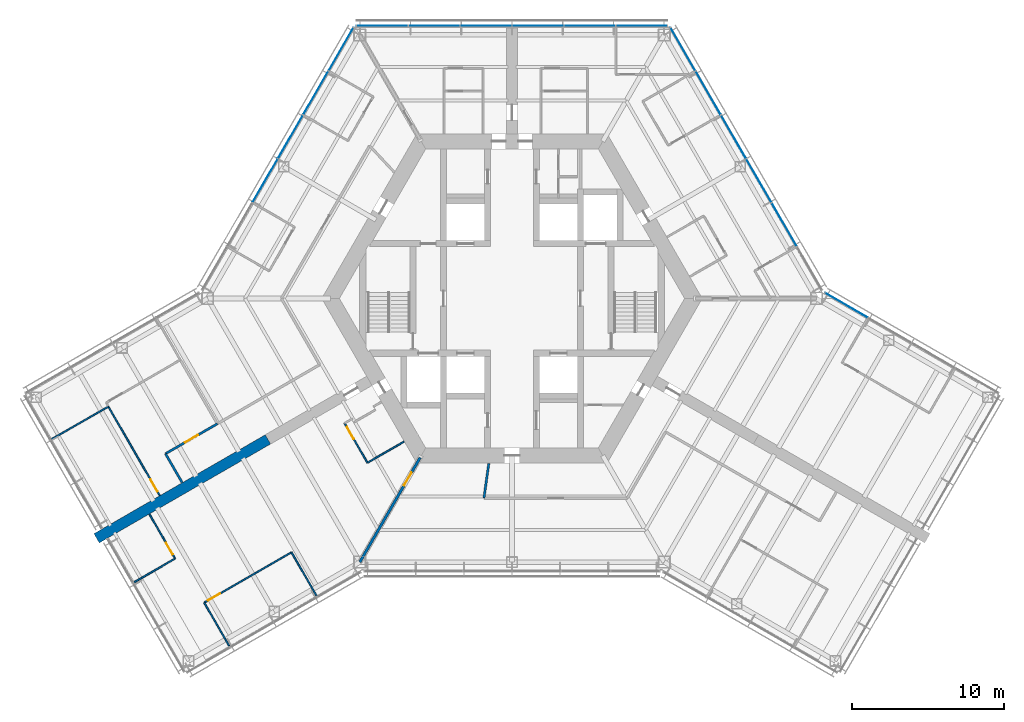
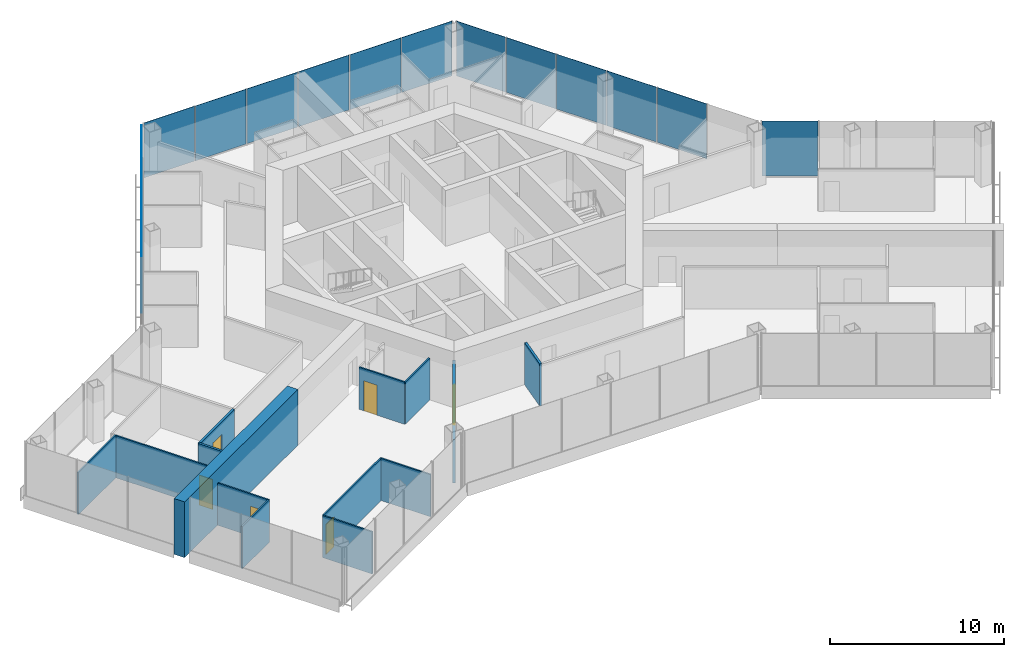
# One storey, part 11 of 18: 16 plates, 14 walls, 6 doors, 6 openings, 4 elements without a shape of their own.
"""IFC4 building model written with IfcOpenShell, lengths in metres."""

from ifc_helpers import new_model, si_unit, direction, frame, frame_2d, origin, origin_2d, place, context, subcontext, project, spatial, rectangle, extrude, material, layer, layer_set, type_object, element, fill, aggregate, save


model = new_model("IFC4")

# Units and contexts
model_context = context("Model", 3, precision=1e-05, world=origin(), true_north=direction((0.0, 1.0)))
body_context = subcontext(model_context, "Body", "Model", "MODEL_VIEW")
ifc_project = project(units=[si_unit("LENGTHUNIT", "METRE"), si_unit("AREAUNIT", "SQUARE_METRE"), si_unit("VOLUMEUNIT", "CUBIC_METRE"), si_unit("PLANEANGLEUNIT", "RADIAN"), si_unit("MASSUNIT", "GRAM", prefix="KILO")], contexts=[model_context])

# Site, building, storey
site_placement = place(None, origin())
site = spatial("IfcSite", under=ifc_project, at=site_placement, CompositionType="ELEMENT")
building_placement = place(site_placement, origin())
building = spatial("IfcBuilding", under=site, at=building_placement, Name="Kasaneha Research Tower", CompositionType="ELEMENT")
storey_placement = place(building_placement, frame((0.0, 0.0, 144.800048828125)))
storey = spatial("IfcBuildingStorey", under=building, at=storey_placement, Name="L36", CompositionType="ELEMENT", Elevation=144.800048828125)

# Curtain wall, plate
ifc_material_1 = material(Name="Glass and aluminium", Category="aluminium")
curtain_wall_type = type_object("IfcCurtainWallType", Name="Mid-rise office curtain wall", PredefinedType="USERDEFINED", material=ifc_material_1)
curtain_wall_1_placement = place(storey_placement, origin())
curtain_wall_1 = element("IfcCurtainWall", 1, at=curtain_wall_1_placement, inside=storey, type_object=curtain_wall_type, Name="CW-O2 L36 run 05a", ObjectType="UNITISED CURTAIN WALL", PredefinedType="USERDEFINED")
ifc_material_2 = material(Name="Laminated double glazing", Category="glass")
ifc_layer_1 = layer(ifc_material_2, 0.02587890625)
ifc_layer_set_1 = layer_set([ifc_layer_1], Name="CW-O2 glazed panel")
plate_type = type_object("IfcPlateType", Name="CW-O2 glazed panel", PredefinedType="CURTAIN_PANEL", material=ifc_layer_set_1)
plate_1_placement = place(storey_placement, frame((21.971923828125, -0.44580078125, 0.06005859375), z_axis=(0.0, 0.0, 1.0), x_axis=(-0.866025411464, 0.499999986699, 0.0)))
plate_1 = element("IfcPlate", 2, at=plate_1_placement, type_object=plate_type, Name="CW-O2 panel 4", PredefinedType="CURTAIN_PANEL", context=body_context, shape_type="SweptSolid", body=[
    extrude(rectangle(XDim=3.2197265625, YDim=0.02587890625, at=origin_2d()), origin(), (0.0, 0.0, 1.0), 3.840087890625),
])
aggregate(curtain_wall_1, [plate_1])

# Curtain wall, plates
curtain_wall_2_placement = place(storey_placement, origin())
curtain_wall_2 = element("IfcCurtainWall", 3, at=curtain_wall_2_placement, inside=storey, type_object=curtain_wall_type, Name="CW-O2 L36 run 06a", ObjectType="UNITISED CURTAIN WALL", PredefinedType="USERDEFINED")
plate_2_placement = place(storey_placement, frame((17.89111328125, 4.852783203125, 0.06005859375), z_axis=(0.0, 0.0, 1.0), x_axis=(-0.499999979232, 0.866025415775, 0.0)))
plate_2 = element("IfcPlate", 4, at=plate_2_placement, type_object=plate_type, Name="CW-O2 panel 2", PredefinedType="CURTAIN_PANEL", context=body_context, shape_type="SweptSolid", body=[
    extrude(rectangle(XDim=3.27099609375, YDim=0.02587890625, at=origin_2d()), origin(), (0.0, 0.0, 1.0), 3.840087890625),
])
plate_3_placement = place(storey_placement, frame((16.2255859375, 7.737548828125, 0.06005859375), z_axis=(0.0, 0.0, 1.0), x_axis=(-0.499999979232, 0.866025415775, 0.0)))
plate_3 = element("IfcPlate", 5, at=plate_3_placement, type_object=plate_type, Name="CW-O2 panel 3", PredefinedType="CURTAIN_PANEL", context=body_context, shape_type="SweptSolid", body=[
    extrude(rectangle(XDim=3.27099609375, YDim=0.02587890625, at=origin_2d()), origin(), (0.0, 0.0, 1.0), 3.840087890625),
])
plate_4_placement = place(storey_placement, frame((14.56005859375, 10.622314453125, 0.06005859375), z_axis=(0.0, 0.0, 1.0), x_axis=(-0.499999979232, 0.866025415775, 0.0)))
plate_4 = element("IfcPlate", 6, at=plate_4_placement, type_object=plate_type, Name="CW-O2 panel 4", PredefinedType="CURTAIN_PANEL", context=body_context, shape_type="SweptSolid", body=[
    extrude(rectangle(XDim=3.27099609375, YDim=0.02587890625, at=origin_2d()), origin(), (0.0, 0.0, 1.0), 3.840087890625),
])
plate_5_placement = place(storey_placement, frame((12.89453125, 13.5068359375, 0.06005859375), z_axis=(0.0, 0.0, 1.0), x_axis=(-0.499999979232, 0.866025415775, 0.0)))
plate_5 = element("IfcPlate", 7, at=plate_5_placement, type_object=plate_type, Name="CW-O2 panel 5", PredefinedType="CURTAIN_PANEL", context=body_context, shape_type="SweptSolid", body=[
    extrude(rectangle(XDim=3.27099609375, YDim=0.02587890625, at=origin_2d()), origin(), (0.0, 0.0, 1.0), 3.840087890625),
])
plate_6_placement = place(storey_placement, frame((11.236572265625, 16.378662109375, 0.06005859375), z_axis=(0.0, 0.0, 1.0), x_axis=(-0.499999979232, 0.866025415775, 0.0)))
plate_6 = element("IfcPlate", 8, at=plate_6_placement, type_object=plate_type, Name="CW-O2 panel 6", PredefinedType="CURTAIN_PANEL", context=body_context, shape_type="SweptSolid", body=[
    extrude(rectangle(XDim=3.240966796875, YDim=0.02587890625, at=origin_2d()), origin(), (0.0, 0.0, 1.0), 3.840087890625),
])
aggregate(curtain_wall_2, [plate_2, plate_3, plate_4, plate_5, plate_6])

curtain_wall_3_placement = place(storey_placement, origin())
curtain_wall_3 = element("IfcCurtainWall", 9, at=curtain_wall_3_placement, inside=storey, type_object=curtain_wall_type, Name="CW-O2 L36 run 07a", ObjectType="UNITISED CURTAIN WALL", PredefinedType="USERDEFINED")
plate_7_placement = place(storey_placement, frame((8.523681640625, 17.92041015625, 0.06005859375), z_axis=(0.0, 0.0, 1.0), x_axis=(-1.0, 0.0, 0.0)))
plate_7 = element("IfcPlate", 10, at=plate_7_placement, type_object=plate_type, Name="CW-O2 panel 1", PredefinedType="CURTAIN_PANEL", context=body_context, shape_type="SweptSolid", body=[
    extrude(rectangle(XDim=3.325439453125, YDim=0.02587890625, at=origin_2d()), origin(), (0.0, 0.0, 1.0), 3.840087890625),
])
plate_8_placement = place(storey_placement, frame((5.123291015625, 17.92041015625, 0.06005859375), z_axis=(0.0, 0.0, 1.0), x_axis=(-1.0, 0.0, 0.0)))
plate_8 = element("IfcPlate", 11, at=plate_8_placement, type_object=plate_type, Name="CW-O2 panel 2", PredefinedType="CURTAIN_PANEL", context=body_context, shape_type="SweptSolid", body=[
    extrude(rectangle(XDim=3.35546875, YDim=0.02587890625, at=origin_2d()), origin(), (0.0, 0.0, 1.0), 3.840087890625),
])
plate_9_placement = place(storey_placement, frame((1.707763671875, 17.92041015625, 0.06005859375), z_axis=(0.0, 0.0, 1.0), x_axis=(-1.0, 0.0, 0.0)))
plate_9 = element("IfcPlate", 12, at=plate_9_placement, type_object=plate_type, Name="CW-O2 panel 3", PredefinedType="CURTAIN_PANEL", context=body_context, shape_type="SweptSolid", body=[
    extrude(rectangle(XDim=3.35546875, YDim=0.02587890625, at=origin_2d()), origin(), (0.0, 0.0, 1.0), 3.840087890625),
])
plate_10_placement = place(storey_placement, frame((-1.707763671875, 17.92041015625, 0.06005859375), z_axis=(0.0, 0.0, 1.0), x_axis=(-1.0, 0.0, 0.0)))
plate_10 = element("IfcPlate", 13, at=plate_10_placement, type_object=plate_type, Name="CW-O2 panel 4", PredefinedType="CURTAIN_PANEL", context=body_context, shape_type="SweptSolid", body=[
    extrude(rectangle(XDim=3.35546875, YDim=0.02587890625, at=origin_2d()), origin(), (0.0, 0.0, 1.0), 3.840087890625),
])
plate_11_placement = place(storey_placement, frame((-5.123291015625, 17.92041015625, 0.06005859375), z_axis=(0.0, 0.0, 1.0), x_axis=(-1.0, 0.0, 0.0)))
plate_11 = element("IfcPlate", 14, at=plate_11_placement, type_object=plate_type, Name="CW-O2 panel 5", PredefinedType="CURTAIN_PANEL", context=body_context, shape_type="SweptSolid", body=[
    extrude(rectangle(XDim=3.35546875, YDim=0.02587890625, at=origin_2d()), origin(), (0.0, 0.0, 1.0), 3.840087890625),
])
plate_12_placement = place(storey_placement, frame((-8.523681640625, 17.92041015625, 0.06005859375), z_axis=(0.0, 0.0, 1.0), x_axis=(-1.0, 0.0, 0.0)))
plate_12 = element("IfcPlate", 15, at=plate_12_placement, type_object=plate_type, Name="CW-O2 panel 6", PredefinedType="CURTAIN_PANEL", context=body_context, shape_type="SweptSolid", body=[
    extrude(rectangle(XDim=3.325439453125, YDim=0.02587890625, at=origin_2d()), origin(), (0.0, 0.0, 1.0), 3.840087890625),
])
aggregate(curtain_wall_3, [plate_7, plate_8, plate_9, plate_10, plate_11, plate_12])

curtain_wall_4_placement = place(storey_placement, origin())
curtain_wall_4 = element("IfcCurtainWall", 16, at=curtain_wall_4_placement, inside=storey, type_object=curtain_wall_type, Name="CW-O2 L36 run 08a", ObjectType="UNITISED CURTAIN WALL", PredefinedType="USERDEFINED")
plate_13_placement = place(storey_placement, frame((-11.236572265625, 16.378662109375, 0.06005859375), z_axis=(0.0, 0.0, 1.0), x_axis=(-0.499999979232, -0.866025415775, 0.0)))
plate_13 = element("IfcPlate", 17, at=plate_13_placement, type_object=plate_type, Name="CW-O2 panel 1", PredefinedType="CURTAIN_PANEL", context=body_context, shape_type="SweptSolid", body=[
    extrude(rectangle(XDim=3.240966796875, YDim=0.02587890625, at=origin_2d()), origin(), (0.0, 0.0, 1.0), 3.840087890625),
])
plate_14_placement = place(storey_placement, frame((-12.89453125, 13.5068359375, 0.06005859375), z_axis=(0.0, 0.0, 1.0), x_axis=(-0.499999979232, -0.866025415775, 0.0)))
plate_14 = element("IfcPlate", 18, at=plate_14_placement, type_object=plate_type, Name="CW-O2 panel 2", PredefinedType="CURTAIN_PANEL", context=body_context, shape_type="SweptSolid", body=[
    extrude(rectangle(XDim=3.27099609375, YDim=0.02587890625, at=origin_2d()), origin(), (0.0, 0.0, 1.0), 3.840087890625),
])
plate_15_placement = place(storey_placement, frame((-14.56005859375, 10.622314453125, 0.06005859375), z_axis=(0.0, 0.0, 1.0), x_axis=(-0.499999979232, -0.866025415775, 0.0)))
plate_15 = element("IfcPlate", 19, at=plate_15_placement, type_object=plate_type, Name="CW-O2 panel 3", PredefinedType="CURTAIN_PANEL", context=body_context, shape_type="SweptSolid", body=[
    extrude(rectangle(XDim=3.27099609375, YDim=0.02587890625, at=origin_2d()), origin(), (0.0, 0.0, 1.0), 3.840087890625),
])
plate_16_placement = place(storey_placement, frame((-16.2255859375, 7.737548828125, 0.06005859375), z_axis=(0.0, 0.0, 1.0), x_axis=(-0.499999979232, -0.866025415775, 0.0)))
plate_16 = element("IfcPlate", 20, at=plate_16_placement, type_object=plate_type, Name="CW-O2 panel 4", PredefinedType="CURTAIN_PANEL", context=body_context, shape_type="SweptSolid", body=[
    extrude(rectangle(XDim=3.27099609375, YDim=0.02587890625, at=origin_2d()), origin(), (0.0, 0.0, 1.0), 3.840087890625),
])
aggregate(curtain_wall_4, [plate_13, plate_14, plate_15, plate_16])

# Wall
ifc_material_3 = material(Name="Gypsum board on steel studs, one layer each side", Category="steel")
ifc_layer_2 = layer(ifc_material_3, 0.10009765625)
ifc_layer_set_2 = layer_set([ifc_layer_2], Name="Office partition 100")
wall_type_1 = type_object("IfcWallType", Name="Office partition 100", PredefinedType="PARTITIONING", material=ifc_layer_set_2)
wall_1_placement = place(storey_placement, frame((-30.254150390625, -9.24951171875, 0.0), z_axis=(0.0, 0.0, 1.0), x_axis=(0.866678925358, 0.49886635519, 0.0)))
element("IfcWall", 21, at=wall_1_placement, inside=storey, type_object=wall_type_1, Name="Office partition FBN10 L36", PredefinedType="PARTITIONING", context=body_context, shape_type="SweptSolid", body=[
    extrude(rectangle(XDim=4.30517578125, YDim=0.10009765625, at=frame_2d((2.152587890625, 0.0))), origin(), (0.0, 0.0, 1.0), 2.949951171875),
])

# Wall, opening, door
wall_2_placement = place(storey_placement, frame((-26.529296875, -7.09912109375, 0.0), z_axis=(0.0, 0.0, 1.0), x_axis=(0.500544055966, -0.865711064985, 0.0)))
wall_2 = element("IfcWall", 22, at=wall_2_placement, inside=storey, type_object=wall_type_1, Name="Office partition FBN11 L36", PredefinedType="PARTITIONING", context=body_context, shape_type="SweptSolid", body=[
    extrude(rectangle(XDim=6.74658203125, YDim=0.10009765625, at=frame_2d((3.373291015625, 0.0))), origin(), (0.0, 0.0, 1.0), 2.949951171875),
])
opening_1_placement = place(wall_2_placement, frame((5.546630859375, 0.0, 0.0)))
opening_1 = element("IfcOpeningElement", 23, at=opening_1_placement, cuts=wall_2, Name="Opening L36-D37", PredefinedType="OPENING", context=body_context, shape_type="SweptSolid", body=[
    extrude(rectangle(XDim=0.89990234375, YDim=2.10009765625, at=frame_2d((0.449951171875, 1.050048828125))), frame((0.0, 0.06005859375, 0.0), z_axis=(0.0, -1.0, 0.0), x_axis=(1.0, 0.0, 0.0)), (0.0, 0.0, 1.0), 0.1201171875),
])
ifc_material_4 = material(Name="Timber veneer", Category="wood")
door_type_1 = type_object("IfcDoorType", Name="Office door 900x2100", OperationType="SINGLE_SWING_LEFT", PredefinedType="DOOR", material=ifc_material_4)
door_1_placement = place(opening_1_placement, origin())
door_1 = element("IfcDoor", 24, at=door_1_placement, inside=storey, type_object=door_type_1, Name="Meeting room door L36-D37", OperationType="SINGLE_SWING_RIGHT", OverallHeight=2.10009765625, OverallWidth=0.89990234375, PredefinedType="DOOR", context=body_context, shape_type="SweptSolid", body=[
    extrude(rectangle(XDim=0.89990234375, YDim=2.10009765625, at=frame_2d((0.449951171875, 1.050048828125))), frame((0.0, 0.02490234375, 0.0), z_axis=(0.0, -1.0, 0.0), x_axis=(1.0, 0.0, 0.0)), (0.0, 0.0, 1.0), 0.050048828125),
])
fill(opening_1, door_1)

wall_3_placement = place(storey_placement, frame((-9.49951171875, -10.796142578125, 0.0), z_axis=(0.0, 0.0, 1.0), x_axis=(-0.499990139034, 0.866031096941, 0.0)))
wall_3 = element("IfcWall", 25, at=wall_3_placement, inside=storey, type_object=wall_type_1, Name="Office partition FBS03 L36", PredefinedType="PARTITIONING", context=body_context, shape_type="SweptSolid", body=[
    extrude(rectangle(XDim=3.0, YDim=0.10009765625, at=frame_2d((1.5, 0.0))), origin(), (0.0, 0.0, 1.0), 2.949951171875),
])
opening_2_placement = place(wall_3_placement, frame((1.800048828125, 0.0, 0.0)))
opening_2 = element("IfcOpeningElement", 26, at=opening_2_placement, cuts=wall_3, Name="Opening L36-D40", PredefinedType="OPENING", context=body_context, shape_type="SweptSolid", body=[
    extrude(rectangle(XDim=0.89990234375, YDim=2.10009765625, at=frame_2d((0.449951171875, 1.050048828125))), frame((0.0, 0.06005859375, 0.0), z_axis=(0.0, -1.0, 0.0), x_axis=(1.0, 0.0, 0.0)), (0.0, 0.0, 1.0), 0.1201171875),
])
door_2_placement = place(opening_2_placement, origin())
door_2 = element("IfcDoor", 27, at=door_2_placement, inside=storey, type_object=door_type_1, Name="Pantry door L36-D40", OperationType="SINGLE_SWING_RIGHT", OverallHeight=2.10009765625, OverallWidth=0.89990234375, PredefinedType="DOOR", context=body_context, shape_type="SweptSolid", body=[
    extrude(rectangle(XDim=0.89990234375, YDim=2.10009765625, at=frame_2d((0.449951171875, 1.050048828125))), frame((0.0, 0.02490234375, 0.0), z_axis=(0.0, -1.0, 0.0), x_axis=(1.0, 0.0, 0.0)), (0.0, 0.0, 1.0), 0.050048828125),
])
fill(opening_2, door_2)

# Wall
wall_4_placement = place(storey_placement, frame((-7.092041015625, -9.40625, 0.0), z_axis=(0.0, 0.0, 1.0), x_axis=(-0.86603494908, -0.499983466698, 0.0)))
element("IfcWall", 28, at=wall_4_placement, inside=storey, type_object=wall_type_1, Name="Office partition FBS05 L36", PredefinedType="PARTITIONING", context=body_context, shape_type="SweptSolid", body=[
    extrude(rectangle(XDim=2.77978515625, YDim=0.10009765625, at=frame_2d((1.389892578125, 0.0))), origin(), (0.0, 0.0, 1.0), 2.949951171875),
])

# Wall, opening, door
wall_5_placement = place(storey_placement, frame((-20.22509765625, -19.99072265625, 0.0), z_axis=(0.0, 0.0, 1.0), x_axis=(0.866030817826, 0.499990622488, 0.0)))
wall_5 = element("IfcWall", 29, at=wall_5_placement, inside=storey, type_object=wall_type_1, Name="Office partition FBS06 L36", PredefinedType="PARTITIONING", context=body_context, shape_type="SweptSolid", body=[
    extrude(rectangle(XDim=6.619873046875, YDim=0.10009765625, at=frame_2d((3.31005859375, 0.0))), origin(), (0.0, 0.0, 1.0), 2.949951171875),
])
opening_3_placement = place(wall_5_placement, frame((0.300048828125, 0.0, 0.0)))
opening_3 = element("IfcOpeningElement", 30, at=opening_3_placement, cuts=wall_5, Name="Opening L36-D41", PredefinedType="OPENING", context=body_context, shape_type="SweptSolid", body=[
    extrude(rectangle(XDim=0.89990234375, YDim=2.10009765625, at=frame_2d((0.449951171875, 1.050048828125))), frame((0.0, 0.06005859375, 0.0), z_axis=(0.0, -1.0, 0.0), x_axis=(1.0, 0.0, 0.0)), (0.0, 0.0, 1.0), 0.1201171875),
])
door_3_placement = place(opening_3_placement, origin())
door_3 = element("IfcDoor", 31, at=door_3_placement, inside=storey, type_object=door_type_1, Name="Meeting room door L36-D41", OperationType="SINGLE_SWING_LEFT", OverallHeight=2.10009765625, OverallWidth=0.89990234375, PredefinedType="DOOR", context=body_context, shape_type="SweptSolid", body=[
    extrude(rectangle(XDim=0.89990234375, YDim=2.10009765625, at=frame_2d((0.449951171875, 1.050048828125))), frame((0.0, 0.02490234375, 0.0), z_axis=(0.0, -1.0, 0.0), x_axis=(1.0, 0.0, 0.0)), (0.0, 0.0, 1.0), 0.050048828125),
])
fill(opening_3, door_3)

# Walls
wall_6_placement = place(storey_placement, frame((-18.5849609375, -22.831298828125, 0.0), z_axis=(0.0, 0.0, 1.0), x_axis=(-0.50002956483, 0.866008333849, 0.0)))
element("IfcWall", 32, at=wall_6_placement, inside=storey, type_object=wall_type_1, Name="Office partition FBS07 L36", PredefinedType="PARTITIONING", context=body_context, shape_type="SweptSolid", body=[
    extrude(rectangle(XDim=3.280029296875, YDim=0.10009765625, at=frame_2d((1.64013671875, 0.0))), origin(), (0.0, 0.0, 1.0), 2.949951171875),
])
wall_7_placement = place(storey_placement, frame((-14.4921875, -16.680908203125, 0.0), z_axis=(0.0, 0.0, 1.0), x_axis=(0.500008057651, -0.866020751647, 0.0)))
element("IfcWall", 33, at=wall_7_placement, inside=storey, type_object=wall_type_1, Name="Office partition FBS08 L36", PredefinedType="PARTITIONING", context=body_context, shape_type="SweptSolid", body=[
    extrude(rectangle(XDim=3.30517578125, YDim=0.10009765625, at=frame_2d((1.652587890625, 0.0))), origin(), (0.0, 0.0, 1.0), 2.949951171875),
])

# Wall, opening, door
wall_8_placement = place(storey_placement, frame((-23.82177734375, -14.1806640625, 0.0), z_axis=(0.0, 0.0, 1.0), x_axis=(0.500034510166, -0.866005478414, 0.0)))
wall_8 = element("IfcWall", 34, at=wall_8_placement, inside=storey, type_object=wall_type_1, Name="Office partition FBS09 L36", PredefinedType="PARTITIONING", context=body_context, shape_type="SweptSolid", body=[
    extrude(rectangle(XDim=3.363525390625, YDim=0.10009765625, at=frame_2d((1.681640625, 0.0))), origin(), (0.0, 0.0, 1.0), 2.949951171875),
])
opening_4_placement = place(wall_8_placement, frame((2.163330078125, 0.0, 0.0)))
opening_4 = element("IfcOpeningElement", 35, at=opening_4_placement, cuts=wall_8, Name="Opening L36-D42", PredefinedType="OPENING", context=body_context, shape_type="SweptSolid", body=[
    extrude(rectangle(XDim=0.89990234375, YDim=2.10009765625, at=frame_2d((0.449951171875, 1.050048828125))), frame((0.0, 0.06005859375, 0.0), z_axis=(0.0, -1.0, 0.0), x_axis=(1.0, 0.0, 0.0)), (0.0, 0.0, 1.0), 0.1201171875),
])
door_4_placement = place(opening_4_placement, origin())
door_4 = element("IfcDoor", 36, at=door_4_placement, inside=storey, type_object=door_type_1, Name="Workroom door L36-D42", OperationType="SINGLE_SWING_RIGHT", OverallHeight=2.10009765625, OverallWidth=0.89990234375, PredefinedType="DOOR", context=body_context, shape_type="SweptSolid", body=[
    extrude(rectangle(XDim=0.89990234375, YDim=2.10009765625, at=frame_2d((0.449951171875, 1.050048828125))), frame((0.0, 0.02490234375, 0.0), z_axis=(0.0, -1.0, 0.0), x_axis=(1.0, 0.0, 0.0)), (0.0, 0.0, 1.0), 0.050048828125),
])
fill(opening_4, door_4)

# Walls
wall_9_placement = place(storey_placement, frame((-22.139892578125, -17.093505859375, 0.0), z_axis=(0.0, 0.0, 1.0), x_axis=(-0.866042875753, -0.499969736442, 0.0)))
element("IfcWall", 37, at=wall_9_placement, inside=storey, type_object=wall_type_1, Name="Office partition FBS10 L36", PredefinedType="PARTITIONING", context=body_context, shape_type="SweptSolid", body=[
    extrude(rectangle(XDim=3.105224609375, YDim=0.10009765625, at=frame_2d((1.552734375, 0.0))), origin(), (0.0, 0.0, 1.0), 2.949951171875),
])
ifc_material_5 = material(Name="Concrete Fc70", Category="concrete")
ifc_layer_3 = layer(ifc_material_5, 0.699951171875)
ifc_layer_set_3 = layer_set([ifc_layer_3], Name="Spine wall 700 Fc70")
wall_type_2 = type_object("IfcWallType", Name="Spine wall 700 Fc70", PredefinedType="SHEAR", material=ifc_layer_set_3)
wall_10_placement = place(storey_placement, frame((-16.039306640625, -9.26025390625, 0.0), z_axis=(0.0, 0.0, 1.0), x_axis=(-0.866024837091, -0.50000098154, 0.0)))
element("IfcWall", 38, at=wall_10_placement, inside=storey, type_object=wall_type_2, Name="Spine wall B wing L36", PredefinedType="SHEAR", context=body_context, shape_type="SweptSolid", body=[
    extrude(rectangle(XDim=13.0, YDim=0.699951171875, at=frame_2d((6.5, 0.0))), origin(), (0.0, 0.0, 1.0), 3.89990234375),
])

# Wall, opening, door
ifc_material_6 = material(Name="Gypsum board on steel studs, two layers each side", Category="steel")
ifc_layer_4 = layer(ifc_material_6, 0.14990234375)
ifc_layer_set_4 = layer_set([ifc_layer_4], Name="Suite partition 150")
wall_type_3 = type_object("IfcWallType", Name="Suite partition 150", PredefinedType="PARTITIONING", material=ifc_layer_set_4)
wall_11_placement = place(storey_placement, frame((-22.770263671875, -10.201904296875, 0.0), z_axis=(0.0, 0.0, 1.0), x_axis=(0.866027491634, 0.499996383721, 0.0)))
wall_11 = element("IfcWall", 39, at=wall_11_placement, inside=storey, type_object=wall_type_3, Name="Suite partition FBN05 L36", PredefinedType="PARTITIONING", context=body_context, shape_type="SweptSolid", body=[
    extrude(rectangle(XDim=3.9345703125, YDim=0.14990234375, at=frame_2d((1.96728515625, 0.0))), origin(), (0.0, 0.0, 1.0), 2.949951171875),
])
opening_5_placement = place(wall_11_placement, frame((1.46728515625, 0.0, 0.0)))
opening_5 = element("IfcOpeningElement", 40, at=opening_5_placement, cuts=wall_11, Name="Opening L36-D35", PredefinedType="OPENING", context=body_context, shape_type="SweptSolid", body=[
    extrude(rectangle(XDim=1.0, YDim=2.10009765625, at=frame_2d((0.5, 1.050048828125))), frame((0.0, 0.0849609375, 0.0), z_axis=(0.0, -1.0, 0.0), x_axis=(1.0, 0.0, 0.0)), (0.0, 0.0, 1.0), 0.169921875),
])
ifc_material_7 = material(Name="Steel", Category="steel")
door_type_2 = type_object("IfcDoorType", Name="Suite entrance door FD60 1000x2100", OperationType="NOTDEFINED", PredefinedType="DOOR", material=ifc_material_7)
door_5_placement = place(opening_5_placement, origin())
door_5 = element("IfcDoor", 41, at=door_5_placement, inside=storey, type_object=door_type_2, Name="Suite entrance door L36-D35", OperationType="SINGLE_SWING_RIGHT", OverallHeight=2.10009765625, OverallWidth=1.0, PredefinedType="DOOR", context=body_context, shape_type="SweptSolid", body=[
    extrude(rectangle(XDim=1.0, YDim=2.10009765625, at=frame_2d((0.5, 1.050048828125))), frame((0.0, 0.02490234375, 0.0), z_axis=(0.0, -1.0, 0.0), x_axis=(1.0, 0.0, 0.0)), (0.0, 0.0, 1.0), 0.050048828125),
])
fill(opening_5, door_5)

# Walls
wall_12_placement = place(storey_placement, frame((-21.68017578125, -12.08984375, 0.0), z_axis=(0.0, 0.0, 1.0), x_axis=(-0.500029427677, 0.866008413041, 0.0)))
element("IfcWall", 42, at=wall_12_placement, inside=storey, type_object=wall_type_3, Name="Suite partition FBN06 L36", PredefinedType="PARTITIONING", context=body_context, shape_type="SweptSolid", body=[
    extrude(rectangle(XDim=2.179931640625, YDim=0.14990234375, at=frame_2d((1.08984375, 0.0))), origin(), (0.0, 0.0, 1.0), 2.949951171875),
])
wall_13_placement = place(storey_placement, frame((-1.844482421875, -13.125, 0.0), z_axis=(0.0, 0.0, 1.0), x_axis=(0.139119980631, 0.990275532864, 0.0)))
element("IfcWall", 43, at=wall_13_placement, inside=storey, type_object=wall_type_3, Name="Suite partition FCS01 L36", PredefinedType="PARTITIONING", context=body_context, shape_type="SweptSolid", body=[
    extrude(rectangle(XDim=2.302490234375, YDim=0.14990234375, at=frame_2d((1.1513671875, 0.0))), origin(), (0.0, 0.0, 1.0), 2.949951171875),
])

# Wall, opening, door
ifc_material_8 = material(Name="Gypsum board on steel studs, two layers each side", Category="steel")
ifc_layer_5 = layer(ifc_material_8, 0.175048828125)
ifc_layer_set_5 = layer_set([ifc_layer_5], Name="Tenancy fire partition 175")
wall_type_4 = type_object("IfcWallType", Name="Tenancy fire partition 175", PredefinedType="PARTITIONING", material=ifc_layer_set_5)
wall_14_placement = place(storey_placement, frame((-6.034912109375, -10.45263671875, 0.0), z_axis=(0.0, 0.0, 1.0), x_axis=(-0.499989830942, -0.866031274813, 0.0)))
wall_14 = element("IfcWall", 44, at=wall_14_placement, inside=storey, type_object=wall_type_4, Name="Tenancy fire partition T240 L36", PredefinedType="PARTITIONING", context=body_context, shape_type="SweptSolid", body=[
    extrude(rectangle(XDim=7.930419921875, YDim=0.175048828125, at=frame_2d((3.96533203125, 0.0))), origin(), (0.0, 0.0, 1.0), 3.050048828125),
])
opening_6_placement = place(wall_14_placement, frame((1.1298828125, 0.0, 0.0)))
opening_6 = element("IfcOpeningElement", 45, at=opening_6_placement, cuts=wall_14, Name="Opening L36-D25", PredefinedType="OPENING", context=body_context, shape_type="SweptSolid", body=[
    extrude(rectangle(XDim=1.0, YDim=2.10009765625, at=frame_2d((0.5, 1.050048828125))), frame((0.0, 0.09765625, 0.0), z_axis=(0.0, -1.0, 0.0), x_axis=(1.0, 0.0, 0.0)), (0.0, 0.0, 1.0), 0.195068359375),
])
door_6_placement = place(opening_6_placement, origin())
door_6 = element("IfcDoor", 46, at=door_6_placement, inside=storey, type_object=door_type_2, Name="Connecting door L36-D25", OperationType="SINGLE_SWING_LEFT", OverallHeight=2.10009765625, OverallWidth=1.0, PredefinedType="DOOR", context=body_context, shape_type="SweptSolid", body=[
    extrude(rectangle(XDim=1.0, YDim=2.10009765625, at=frame_2d((0.5, 1.050048828125))), frame((0.0, 0.02490234375, 0.0), z_axis=(0.0, -1.0, 0.0), x_axis=(1.0, 0.0, 0.0)), (0.0, 0.0, 1.0), 0.050048828125),
])
fill(opening_6, door_6)

save(model, "model.ifc")
